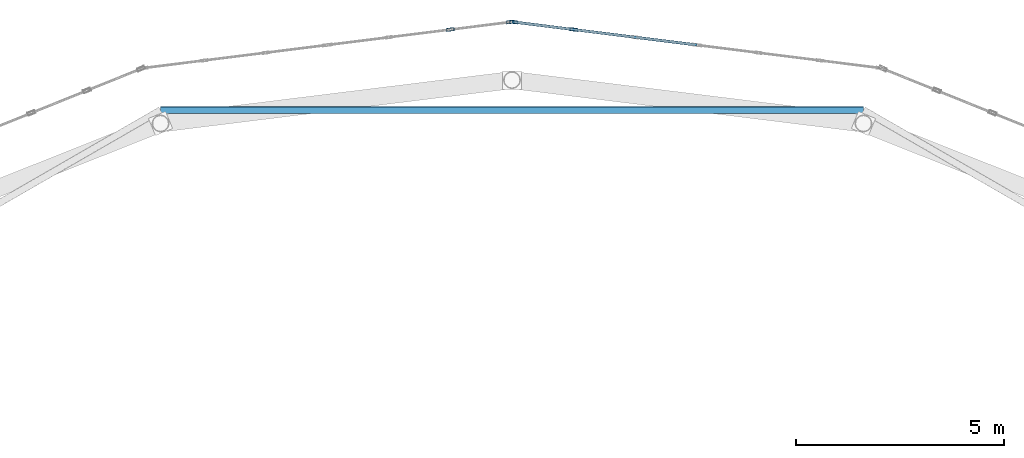
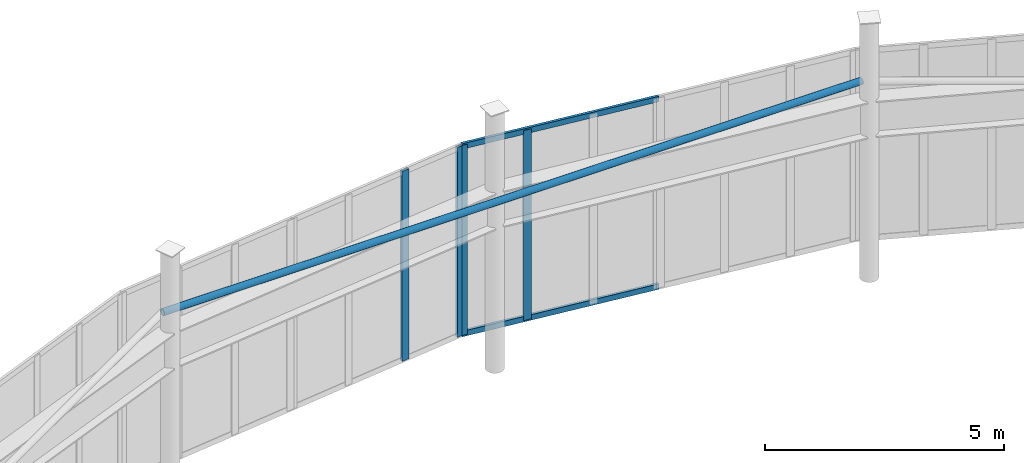
# One storey, part 36 of 91: 7 members, 2 elements without a shape of their own.
"""IFC4 building model written with IfcOpenShell, lengths in metres."""

from ifc_helpers import new_model, si_unit, direction, frame, origin, origin_2d, place, context, subcontext, project, spatial, hollow_rectangle, hollow_circle, extrude, material, layer, layer_set, material_profile, profile_set, type_object, element, aggregate, save


model = new_model("IFC4")

# Units and contexts
model_context = context("Model", 3, precision=1e-05, world=origin(), true_north=direction((0.0, 1.0)))
body_context = subcontext(model_context, "Body", "Model", "MODEL_VIEW")
ifc_project = project(units=[si_unit("LENGTHUNIT", "METRE"), si_unit("AREAUNIT", "SQUARE_METRE"), si_unit("VOLUMEUNIT", "CUBIC_METRE"), si_unit("PLANEANGLEUNIT", "RADIAN"), si_unit("MASSUNIT", "GRAM", prefix="KILO")], contexts=[model_context])

# Site, building, storey
site_placement = place(None, origin())
site = spatial("IfcSite", under=ifc_project, at=site_placement, CompositionType="ELEMENT")
building_placement = place(site_placement, origin())
building = spatial("IfcBuilding", under=site, at=building_placement, Name="Sollismere Congress Hotel", CompositionType="ELEMENT")
storey_placement = place(building_placement, frame((0.0, 0.0, 10.800048828125)))
storey = spatial("IfcBuildingStorey", under=building, at=storey_placement, Name="L02", CompositionType="ELEMENT", Elevation=10.800048828125)

# Member
ifc_material_1 = material(Name="Steel ASTM A500 Grade C", Category="steel")
ifc_material_profile_1 = material_profile(ifc_material_1, hollow_circle(Radius=0.083984375, WallThickness=0.008056640625, at=origin_2d()), Name="CHS168X8")
ifc_profile_set_1 = profile_set([ifc_material_profile_1], Name="Steel ASTM A500 Grade C")
member_type_1 = type_object("IfcMemberType", Name="MB-TI168", PredefinedType="STRINGER", material=ifc_profile_set_1)
member_1_placement = place(storey_placement, frame((37.45068359375, 111.02734375, 4.820068359375), z_axis=(-1.0, 0.0, 0.0), x_axis=(0.0, -1.0, 0.0)))
element("IfcMember", 1, at=member_1_placement, inside=storey, type_object=member_type_1, Name="MEM-DT-03", PredefinedType="STRINGER", context=body_context, shape_type="SweptSolid", body=[
    extrude(hollow_circle(Radius=0.083984375, WallThickness=0.008056640625, at=origin_2d()), origin(), (0.0, 0.0, 1.0), 16.9013671875),
])

# Curtain wall, members
ifc_material_2 = material(Name="Anodized Bronze Curtain Wall & Low-E Triple Glazing", Category="glass")
ifc_layer = layer(ifc_material_2, 0.199951171875, Name="Anodized Bronze Curtain Wall & Low-E Triple Glazing")
ifc_layer_set = layer_set([ifc_layer], Name="Anodized Bronze Curtain Wall & Low-E Triple Glazing")
curtain_wall_type = type_object("IfcCurtainWallType", Name="CW-GLZ36", PredefinedType="USERDEFINED", material=ifc_layer_set)
curtain_wall_1_placement = place(storey_placement, origin())
curtain_wall_1 = element("IfcCurtainWall", 2, at=curtain_wall_1_placement, inside=storey, type_object=curtain_wall_type, Name="Unitised curtain wall CW-L02-016", ObjectType="UNITISED CURTAIN WALL", PredefinedType="USERDEFINED")
ifc_material_3 = material(Name="Anodized Aluminum 6063-T6", Category="aluminium")
ifc_material_profile_2 = material_profile(ifc_material_3, hollow_rectangle(XDim=0.074951171875, YDim=0.179931640625, WallThickness=0.0048828125, at=origin_2d()), Name="ALU180X75X5")
ifc_profile_set_2 = profile_set([ifc_material_profile_2], Name="Anodized Aluminum 6063-T6")
member_type_2 = type_object("IfcMemberType", Name="ML-CW180", PredefinedType="MULLION", material=ifc_profile_set_2)
member_2_placement = place(storey_placement, frame((30.480712890625, 112.96435546875, 0.0), z_axis=(0.0, 0.0, 1.0), x_axis=(-0.124363496441, -0.992236726166, 0.0)))
member_2 = element("IfcMember", 3, at=member_2_placement, type_object=member_type_2, Name="CWL-CW-L02-016-ML03", PredefinedType="MULLION", context=body_context, shape_type="SweptSolid", body=[
    extrude(hollow_rectangle(XDim=0.074951171875, YDim=0.179931640625, WallThickness=0.0048828125, at=origin_2d()), origin(), (0.0, 0.0, 1.0), 4.85986328125),
])
member_3_placement = place(storey_placement, frame((29.03759765625, 113.145263671875, 0.0), z_axis=(0.0, 0.0, 1.0), x_axis=(-0.124363496441, -0.992236726166, 0.0)))
member_3 = element("IfcMember", 4, at=member_3_placement, type_object=member_type_2, Name="CWL-CW-L02-016-ML04", PredefinedType="MULLION", context=body_context, shape_type="SweptSolid", body=[
    extrude(hollow_rectangle(XDim=0.074951171875, YDim=0.179931640625, WallThickness=0.0048828125, at=origin_2d()), origin(), (0.0, 0.0, 1.0), 4.85986328125),
])

curtain_wall_2_placement = place(storey_placement, origin())
curtain_wall_2 = element("IfcCurtainWall", 5, at=curtain_wall_2_placement, inside=storey, type_object=curtain_wall_type, Name="Unitised curtain wall CW-L02-019", ObjectType="UNITISED CURTAIN WALL", PredefinedType="USERDEFINED")
member_4_placement = place(storey_placement, frame((28.96240234375, 113.145263671875, 0.0), z_axis=(0.0, 0.0, 1.0), x_axis=(0.124363496441, -0.992236726166, 0.0)))
member_4 = element("IfcMember", 6, at=member_4_placement, type_object=member_type_2, Name="CWL-CW-L02-019-ML01", PredefinedType="MULLION", context=body_context, shape_type="SweptSolid", body=[
    extrude(hollow_rectangle(XDim=0.074951171875, YDim=0.179931640625, WallThickness=0.0048828125, at=origin_2d()), origin(), (0.0, 0.0, 1.0), 4.85986328125),
])
member_5_placement = place(storey_placement, frame((27.519287109375, 112.96435546875, 0.0), z_axis=(0.0, 0.0, 1.0), x_axis=(0.124363496441, -0.992236726166, 0.0)))
member_5 = element("IfcMember", 7, at=member_5_placement, type_object=member_type_2, Name="CWL-CW-L02-019-ML02", PredefinedType="MULLION", context=body_context, shape_type="SweptSolid", body=[
    extrude(hollow_rectangle(XDim=0.074951171875, YDim=0.179931640625, WallThickness=0.0048828125, at=origin_2d()), origin(), (0.0, 0.0, 1.0), 4.85986328125),
])
aggregate(curtain_wall_2, [member_4, member_5])

# Member
ifc_material_profile_3 = material_profile(ifc_material_3, hollow_rectangle(XDim=0.06494140625, YDim=0.139892578125, WallThickness=0.00390625, at=origin_2d()), Name="ALU140X65X4")
ifc_profile_set_3 = profile_set([ifc_material_profile_3], Name="Anodized Aluminum 6063-T6")
member_type_3 = type_object("IfcMemberType", Name="TR-CW150", PredefinedType="MEMBER", material=ifc_profile_set_3)
member_6_placement = place(storey_placement, frame((33.442138671875, 112.59326171875, 0.032470703125), z_axis=(-0.992240076669, 0.124336761462, 0.0), x_axis=(-0.124336761462, -0.992240076669, 0.0)))
member_6 = element("IfcMember", 8, at=member_6_placement, type_object=member_type_3, Name="CWL-CW-L02-016-TR1", PredefinedType="MEMBER", context=body_context, shape_type="SweptSolid", body=[
    extrude(hollow_rectangle(XDim=0.06494140625, YDim=0.139892578125, WallThickness=0.00390625, at=origin_2d()), origin(), (0.0, 0.0, 1.0), 4.476806640625),
])

member_7_placement = place(storey_placement, frame((33.442138671875, 112.59326171875, 4.827392578125), z_axis=(-0.992240076669, 0.124336761462, 0.0), x_axis=(-0.124336761462, -0.992240076669, 0.0)))
member_7 = element("IfcMember", 9, at=member_7_placement, type_object=member_type_3, Name="CWL-CW-L02-016-TR2", PredefinedType="MEMBER", context=body_context, shape_type="SweptSolid", body=[
    extrude(hollow_rectangle(XDim=0.06494140625, YDim=0.139892578125, WallThickness=0.00390625, at=origin_2d()), origin(), (0.0, 0.0, 1.0), 4.476806640625),
])

aggregate(curtain_wall_1, [member_2, member_3, member_6, member_7])

save(model, "model.ifc")
